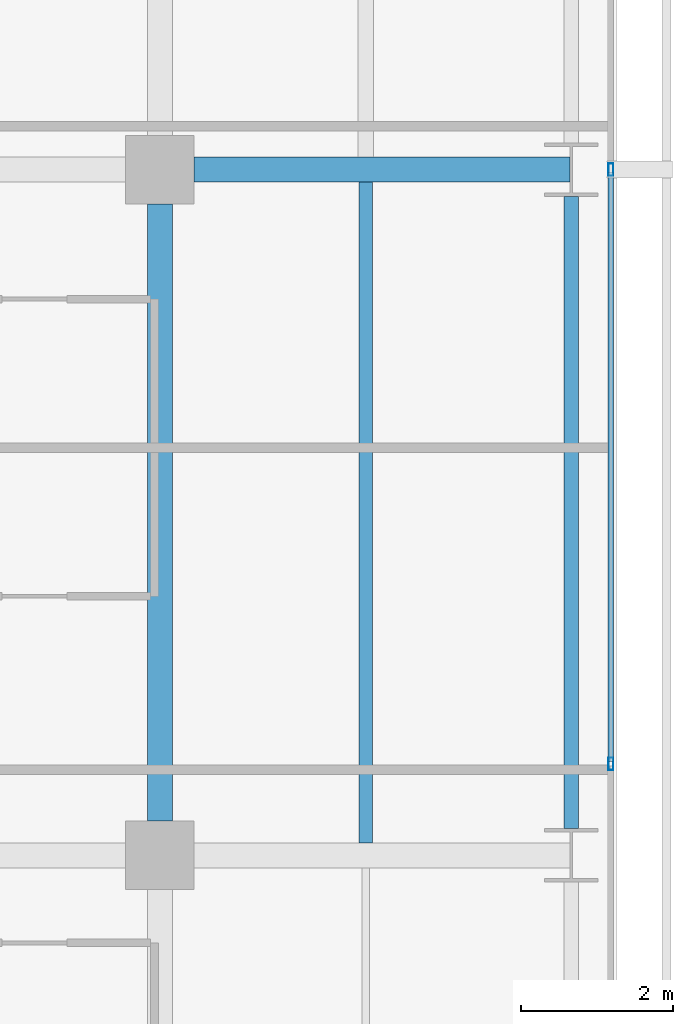
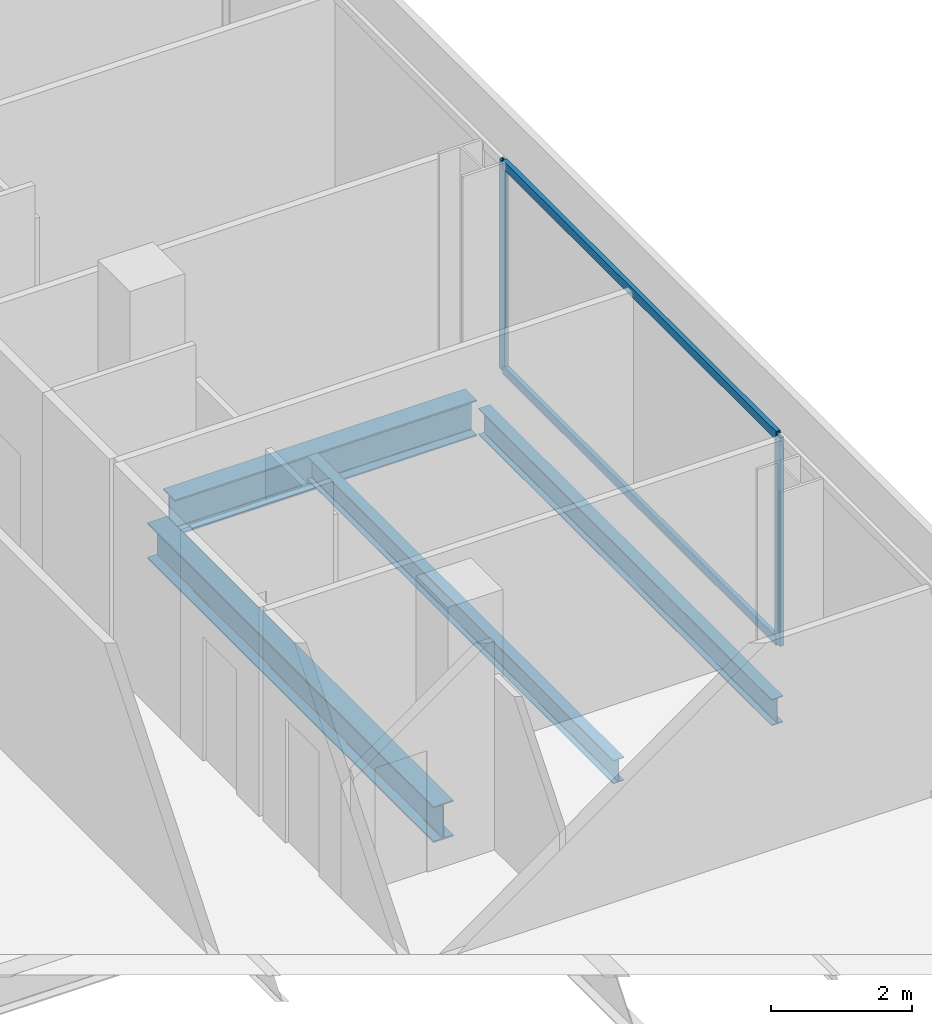
# One storey, part 19 of 40: 4 beams, 4 members, 1 element without a shape of its own.
"""IFC4 building model written with IfcOpenShell, lengths in metres."""

from ifc_helpers import new_model, si_unit, direction, frame, origin, origin_2d, place, context, subcontext, project, spatial, hollow_rectangle, i_section, extrude, material, layer, layer_set, material_profile, profile_set, type_object, element, aggregate, save


model = new_model("IFC4")

# Units and contexts
model_context = context("Model", 3, precision=1e-05, world=origin(), true_north=direction((0.0, 1.0)))
body_context = subcontext(model_context, "Body", "Model", "MODEL_VIEW")
ifc_project = project(units=[si_unit("LENGTHUNIT", "METRE"), si_unit("AREAUNIT", "SQUARE_METRE"), si_unit("VOLUMEUNIT", "CUBIC_METRE"), si_unit("PLANEANGLEUNIT", "RADIAN"), si_unit("MASSUNIT", "GRAM", prefix="KILO")], contexts=[model_context])

# Site, building, storey
site_placement = place(None, origin())
site = spatial("IfcSite", under=ifc_project, at=site_placement, CompositionType="ELEMENT")
building_placement = place(site_placement, origin())
building = spatial("IfcBuilding", under=site, at=building_placement, Name="Maruvema Waterfront Hotel and Observation Tower", CompositionType="ELEMENT")
storey_placement = place(building_placement, frame((0.0, 0.0, 38.5)))
storey = spatial("IfcBuildingStorey", under=building, at=storey_placement, Name="L08", CompositionType="ELEMENT", Elevation=38.5)

# Curtain wall, members
ifc_material_1 = material(Name="Anodised bronze aluminium and solar-control low-E IGU", Category="aluminium")
ifc_layer = layer(ifc_material_1, 0.159912109375, Name="Zone 1 Bronze Inner Thermal Curtain Wall System CW-02")
ifc_layer_set = layer_set([ifc_layer], Name="Anodised bronze aluminium and solar-control low-E IGU")
curtain_wall_type = type_object("IfcCurtainWallType", Name="Zone 1 Bronze Inner Thermal Curtain Wall System CW-02", PredefinedType="USERDEFINED", material=ifc_layer_set)
curtain_wall_placement = place(storey_placement, origin())
curtain_wall = element("IfcCurtainWall", 1, at=curtain_wall_placement, inside=storey, type_object=curtain_wall_type, Name="L08 Curtain Wall CW-L08-E", ObjectType="UNITISED CURTAIN WALL", PredefinedType="USERDEFINED")
ifc_material_2 = material(Name="Anodised architectural bronze aluminium", Category="aluminium")
ifc_material_profile_1 = material_profile(ifc_material_2, hollow_rectangle(XDim=0.070068359375, YDim=0.14990234375, WallThickness=0.00390625, at=origin_2d()), Name="ALU-T70x150")
ifc_profile_set_1 = profile_set([ifc_material_profile_1], Name="Anodised architectural bronze aluminium")
member_type_1 = type_object("IfcMemberType", Name="Curtain Wall Horizontal Transom ALU-T70x150", PredefinedType="USERDEFINED", material=ifc_profile_set_1)
member_1_placement = place(storey_placement, frame((64.719970703125, 19.22998046875, 0.030029296875), z_axis=(0.0, 1.0, 0.0), x_axis=(-1.0, 0.0, 0.0)))
member_1 = element("IfcMember", 2, at=member_1_placement, type_object=member_type_1, Name="CW-02 transom 3.1", ObjectType="TRANSOM", PredefinedType="USERDEFINED", context=body_context, shape_type="SweptSolid", body=[
    extrude(hollow_rectangle(XDim=0.070068359375, YDim=0.14990234375, WallThickness=0.00390625, at=origin_2d()), origin(), (0.0, 0.0, 1.0), 7.739990234375),
])
member_2_placement = place(storey_placement, frame((64.719970703125, 19.22998046875, 3.580078125), z_axis=(0.0, 1.0, 0.0), x_axis=(-1.0, 0.0, 0.0)))
member_2 = element("IfcMember", 3, at=member_2_placement, type_object=member_type_1, Name="CW-02 transom 3.2", ObjectType="TRANSOM", PredefinedType="USERDEFINED", context=body_context, shape_type="SweptSolid", body=[
    extrude(hollow_rectangle(XDim=0.070068359375, YDim=0.14990234375, WallThickness=0.00390625, at=origin_2d()), origin(), (0.0, 0.0, 1.0), 7.739990234375),
])
ifc_material_3 = material(Name="Anodised architectural bronze aluminium", Category="aluminium")
ifc_material_profile_2 = material_profile(ifc_material_3, hollow_rectangle(XDim=0.06494140625, YDim=0.1650390625, WallThickness=0.00390625, at=origin_2d()), Name="ALU-M65x165")
ifc_profile_set_2 = profile_set([ifc_material_profile_2], Name="Anodised architectural bronze aluminium")
member_type_2 = type_object("IfcMemberType", Name="Curtain Wall Primary Mullion ALU-M65x165", PredefinedType="MULLION", material=ifc_profile_set_2)
member_3_placement = place(storey_placement, frame((64.719970703125, 19.199951171875, 0.0), z_axis=(0.0, 0.0, 1.0), x_axis=(-1.0, 0.0, 0.0)))
member_3 = element("IfcMember", 4, at=member_3_placement, type_object=member_type_2, Name="CW-02 mullion 3", PredefinedType="MULLION", context=body_context, shape_type="SweptSolid", body=[
    extrude(hollow_rectangle(XDim=0.06494140625, YDim=0.1650390625, WallThickness=0.00390625, at=origin_2d()), origin(), (0.0, 0.0, 1.0), 3.610107421875),
])
member_4_placement = place(storey_placement, frame((64.719970703125, 27.0, 0.0), z_axis=(0.0, 0.0, 1.0), x_axis=(-1.0, 0.0, 0.0)))
member_4 = element("IfcMember", 5, at=member_4_placement, type_object=member_type_2, Name="CW-02 mullion 4", PredefinedType="MULLION", context=body_context, shape_type="SweptSolid", body=[
    extrude(hollow_rectangle(XDim=0.06494140625, YDim=0.1650390625, WallThickness=0.00390625, at=origin_2d()), origin(), (0.0, 0.0, 1.0), 3.610107421875),
])
aggregate(curtain_wall, [member_3, member_4, member_1, member_2])

# Beams
ifc_material_4 = material(Name="Steel ASTM A572 Grade 50", Category="steel")
ifc_material_profile_3 = material_profile(ifc_material_4, i_section(OverallWidth=0.18994140625, OverallDepth=0.45703125, WebThickness=0.009033203125, FlangeThickness=0.014404296875, FilletRadius=0.014892578125, at=origin_2d()), Name="W460x74.0")
ifc_profile_set_3 = profile_set([ifc_material_profile_3], Name="Steel ASTM A572 Grade 50")
beam_type_1 = type_object("IfcBeamType", Name="Perimeter Spandrel Beam W460x74.0", PredefinedType="SPANDREL", material=ifc_profile_set_3)
beam_1_placement = place(storey_placement, frame((64.199951171875, 18.35009765625, -0.468505859375), z_axis=(0.0, 1.0, 0.0), x_axis=(-1.0, 0.0, 0.0)))
element("IfcBeam", 6, at=beam_1_placement, inside=storey, type_object=beam_type_1, Name="L08 Floor Girder NS-34", PredefinedType="SPANDREL", context=body_context, shape_type="SweptSolid", body=[
    extrude(i_section(OverallWidth=0.18994140625, OverallDepth=0.45703125, WebThickness=0.009033203125, FlangeThickness=0.014404296875, FilletRadius=0.014892578125, at=origin_2d()), origin(), (0.0, 0.0, 1.0), 8.2998046875),
])
ifc_material_5 = material(Name="Steel ASTM A572 Grade 50", Category="steel")
ifc_material_profile_4 = material_profile(ifc_material_5, i_section(OverallWidth=0.326904296875, OverallDepth=0.6220703125, WebThickness=0.015380859375, FlangeThickness=0.0244140625, FilletRadius=0.01806640625, at=origin_2d()), Name="W610x195.0")
ifc_profile_set_4 = profile_set([ifc_material_profile_4], Name="Steel ASTM A572 Grade 50")
beam_type_2 = type_object("IfcBeamType", Name="Primary Floor Girder W610x195.0", PredefinedType="BEAM", material=ifc_profile_set_4)
beam_2_placement = place(storey_placement, frame((59.25, 27.0, -0.551025390625), z_axis=(1.0, 0.0, 0.0), x_axis=(0.0, 1.0, 0.0)))
element("IfcBeam", 7, at=beam_2_placement, inside=storey, type_object=beam_type_2, Name="L08 Floor Girder EW-24", PredefinedType="BEAM", context=body_context, shape_type="SweptSolid", body=[
    extrude(i_section(OverallWidth=0.326904296875, OverallDepth=0.6220703125, WebThickness=0.015380859375, FlangeThickness=0.0244140625, FilletRadius=0.01806640625, at=origin_2d()), origin(), (0.0, 0.0, 1.0), 4.93603515625),
])
beam_3_placement = place(storey_placement, frame((58.800048828125, 18.449951171875, -0.551025390625), z_axis=(0.0, 1.0, 0.0), x_axis=(-1.0, 0.0, 0.0)))
element("IfcBeam", 8, at=beam_3_placement, inside=storey, type_object=beam_type_2, Name="L08 Floor Girder NS-29", PredefinedType="BEAM", context=body_context, shape_type="SweptSolid", body=[
    extrude(i_section(OverallWidth=0.326904296875, OverallDepth=0.6220703125, WebThickness=0.015380859375, FlangeThickness=0.0244140625, FilletRadius=0.01806640625, at=origin_2d()), origin(), (0.0, 0.0, 1.0), 8.10009765625),
])
ifc_material_6 = material(Name="Steel ASTM A572 Grade 50", Category="steel")
ifc_material_profile_5 = material_profile(ifc_material_6, i_section(OverallWidth=0.177001953125, OverallDepth=0.403076171875, WebThickness=0.007568359375, FlangeThickness=0.010986328125, FilletRadius=0.014892578125, at=origin_2d()), Name="W410x53.0")
ifc_profile_set_5 = profile_set([ifc_material_profile_5], Name="Steel ASTM A572 Grade 50")
beam_type_3 = type_object("IfcBeamType", Name="Secondary Floor Joist W410x53.0", PredefinedType="JOIST", material=ifc_profile_set_5)
beam_4_placement = place(storey_placement, frame((61.5, 18.16357421875, -0.44140625), z_axis=(0.0, 1.0, 0.0), x_axis=(-1.0, 0.0, 0.0)))
element("IfcBeam", 9, at=beam_4_placement, inside=storey, type_object=beam_type_3, Name="L08 Secondary Floor Joist JS-22", PredefinedType="JOIST", context=body_context, shape_type="SweptSolid", body=[
    extrude(i_section(OverallWidth=0.177001953125, OverallDepth=0.403076171875, WebThickness=0.007568359375, FlangeThickness=0.010986328125, FilletRadius=0.014892578125, at=origin_2d()), origin(), (0.0, 0.0, 1.0), 8.6728515625),
])

save(model, "model.ifc")
